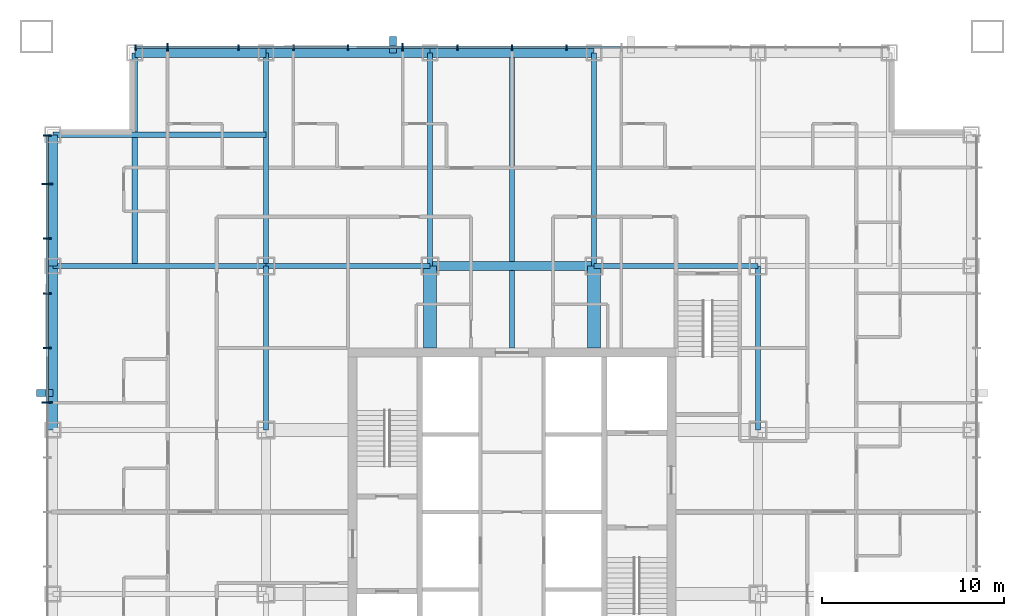
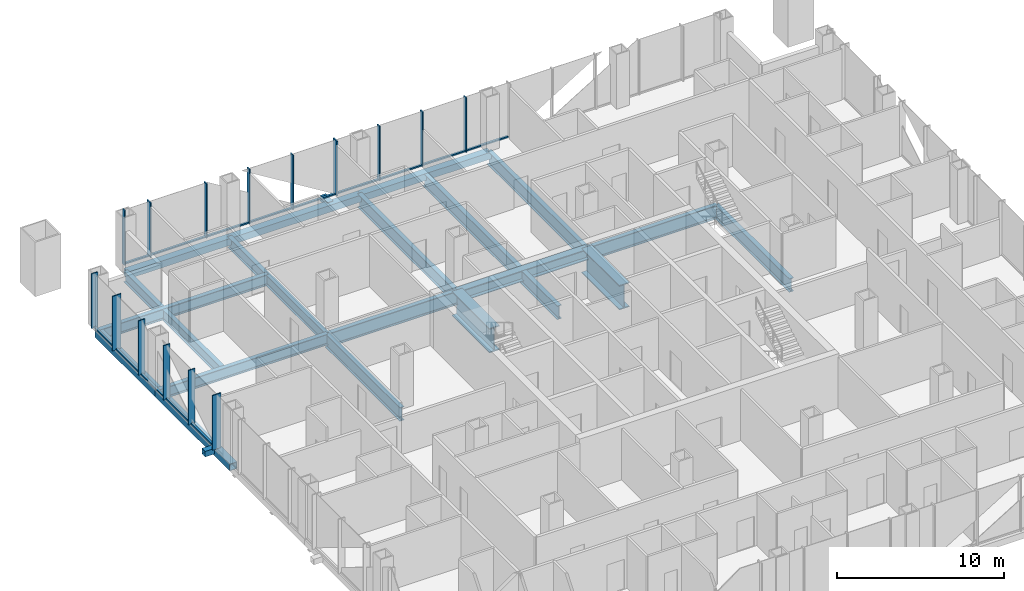
# One storey, part 4 of 17: 31 members, 19 beams, 2 elements without a shape of their own.
"""IFC4 building model written with IfcOpenShell, lengths in metres."""

from ifc_helpers import new_model, si_unit, direction, frame, origin, origin_2d, place, context, subcontext, project, spatial, rectangle, hollow_rectangle, i_section, extrude, material, layer, layer_set, material_profile, profile_set, type_object, element, aggregate, save


model = new_model("IFC4")

# Units and contexts
model_context = context("Model", 3, precision=1e-05, world=origin(), true_north=direction((0.0, 1.0)))
body_context = subcontext(model_context, "Body", "Model", "MODEL_VIEW")
ifc_project = project(units=[si_unit("LENGTHUNIT", "METRE"), si_unit("AREAUNIT", "SQUARE_METRE"), si_unit("VOLUMEUNIT", "CUBIC_METRE"), si_unit("PLANEANGLEUNIT", "RADIAN"), si_unit("MASSUNIT", "GRAM", prefix="KILO")], contexts=[model_context])

# Site, building, storey
site_placement = place(None, origin())
site = spatial("IfcSite", under=ifc_project, at=site_placement, CompositionType="ELEMENT")
building_placement = place(site_placement, origin())
building = spatial("IfcBuilding", under=site, at=building_placement, Name="Malebo Sky Hospital", CompositionType="ELEMENT")
storey_placement = place(building_placement, frame((0.0, 0.0, 51.0)))
storey = spatial("IfcBuildingStorey", under=building, at=storey_placement, Name="L11", CompositionType="ELEMENT", Elevation=51.0)

# Curtain wall, members
ifc_material_1 = material(Name="Anodised aluminium, natural silver", Category="aluminium")
ifc_layer_1 = layer(ifc_material_1, 0.25)
ifc_layer_set_1 = layer_set([ifc_layer_1], Name="WARD CURTAIN WALL NORTH AND SOUTH")
curtain_wall_type_1 = type_object("IfcCurtainWallType", Name="WARD CURTAIN WALL NORTH AND SOUTH", PredefinedType="NOTDEFINED", material=ifc_layer_set_1)
curtain_wall_1_placement = place(storey_placement, origin())
curtain_wall_1 = element("IfcCurtainWall", 1, at=curtain_wall_1_placement, inside=storey, type_object=curtain_wall_type_1, Name="NS curtain wall N", PredefinedType="NOTDEFINED")
ifc_material_profile_1 = material_profile(ifc_material_1, rectangle(XDim=0.14990234375, YDim=0.10009765625, at=origin_2d()), Name="ALUMINIUM TRANSOM 150x100")
ifc_profile_set_1 = profile_set([ifc_material_profile_1], Name="Anodised aluminium, natural silver")
member_type_1 = type_object("IfcMemberType", Name="ALUMINIUM TRANSOM 150x100", PredefinedType="USERDEFINED", material=ifc_profile_set_1)
member_1_placement = place(storey_placement, frame((39.375, 87.5, 0.050048828125), z_axis=(1.0, 0.0, 0.0), x_axis=(0.0, 1.0, 0.0)))
member_1 = element("IfcMember", 2, at=member_1_placement, type_object=member_type_1, Name="Transom 1", ObjectType="TRANSOM", PredefinedType="USERDEFINED", context=body_context, shape_type="SweptSolid", body=[
    extrude(rectangle(XDim=0.14990234375, YDim=0.10009765625, at=origin_2d()), origin(), (0.0, 0.0, 1.0), 1.6875),
])
member_2_placement = place(storey_placement, frame((41.137451171875, 87.5, 0.050048828125), z_axis=(1.0, 0.0, 0.0), x_axis=(0.0, 1.0, 0.0)))
member_2 = element("IfcMember", 3, at=member_2_placement, type_object=member_type_1, Name="Transom 2", ObjectType="TRANSOM", PredefinedType="USERDEFINED", context=body_context, shape_type="SweptSolid", body=[
    extrude(rectangle(XDim=0.14990234375, YDim=0.10009765625, at=origin_2d()), origin(), (0.0, 0.0, 1.0), 3.824951171875),
])
member_3_placement = place(storey_placement, frame((45.03759765625, 87.5, 0.050048828125), z_axis=(1.0, 0.0, 0.0), x_axis=(0.0, 1.0, 0.0)))
member_3 = element("IfcMember", 4, at=member_3_placement, type_object=member_type_1, Name="Transom 3", ObjectType="TRANSOM", PredefinedType="USERDEFINED", context=body_context, shape_type="SweptSolid", body=[
    extrude(rectangle(XDim=0.14990234375, YDim=0.10009765625, at=origin_2d()), origin(), (0.0, 0.0, 1.0), 2.9248046875),
])
member_4_placement = place(storey_placement, frame((48.03759765625, 87.5, 0.050048828125), z_axis=(1.0, 0.0, 0.0), x_axis=(0.0, 1.0, 0.0)))
member_4 = element("IfcMember", 5, at=member_4_placement, type_object=member_type_1, Name="Transom 4", ObjectType="TRANSOM", PredefinedType="USERDEFINED", context=body_context, shape_type="SweptSolid", body=[
    extrude(rectangle(XDim=0.14990234375, YDim=0.10009765625, at=origin_2d()), origin(), (0.0, 0.0, 1.0), 2.9248046875),
])
member_5_placement = place(storey_placement, frame((51.03759765625, 87.5, 0.050048828125), z_axis=(1.0, 0.0, 0.0), x_axis=(0.0, 1.0, 0.0)))
member_5 = element("IfcMember", 6, at=member_5_placement, type_object=member_type_1, Name="Transom 5", ObjectType="TRANSOM", PredefinedType="USERDEFINED", context=body_context, shape_type="SweptSolid", body=[
    extrude(rectangle(XDim=0.14990234375, YDim=0.10009765625, at=origin_2d()), origin(), (0.0, 0.0, 1.0), 2.9248046875),
])
member_6_placement = place(storey_placement, frame((54.03759765625, 87.5, 0.050048828125), z_axis=(1.0, 0.0, 0.0), x_axis=(0.0, 1.0, 0.0)))
member_6 = element("IfcMember", 7, at=member_6_placement, type_object=member_type_1, Name="Transom 6", ObjectType="TRANSOM", PredefinedType="USERDEFINED", context=body_context, shape_type="SweptSolid", body=[
    extrude(rectangle(XDim=0.14990234375, YDim=0.10009765625, at=origin_2d()), origin(), (0.0, 0.0, 1.0), 2.9248046875),
])
member_7_placement = place(storey_placement, frame((57.03759765625, 87.5, 0.050048828125), z_axis=(1.0, 0.0, 0.0), x_axis=(0.0, 1.0, 0.0)))
member_7 = element("IfcMember", 8, at=member_7_placement, type_object=member_type_1, Name="Transom 7", ObjectType="TRANSOM", PredefinedType="USERDEFINED", context=body_context, shape_type="SweptSolid", body=[
    extrude(rectangle(XDim=0.14990234375, YDim=0.10009765625, at=origin_2d()), origin(), (0.0, 0.0, 1.0), 2.9248046875),
])
member_8_placement = place(storey_placement, frame((60.03759765625, 87.5, 0.050048828125), z_axis=(1.0, 0.0, 0.0), x_axis=(0.0, 1.0, 0.0)))
member_8 = element("IfcMember", 9, at=member_8_placement, type_object=member_type_1, Name="Transom 8", ObjectType="TRANSOM", PredefinedType="USERDEFINED", context=body_context, shape_type="SweptSolid", body=[
    extrude(rectangle(XDim=0.14990234375, YDim=0.10009765625, at=origin_2d()), origin(), (0.0, 0.0, 1.0), 2.9248046875),
])
member_9_placement = place(storey_placement, frame((63.03759765625, 87.5, 0.050048828125), z_axis=(1.0, 0.0, 0.0), x_axis=(0.0, 1.0, 0.0)))
member_9 = element("IfcMember", 10, at=member_9_placement, type_object=member_type_1, Name="Transom 9", ObjectType="TRANSOM", PredefinedType="USERDEFINED", context=body_context, shape_type="SweptSolid", body=[
    extrude(rectangle(XDim=0.14990234375, YDim=0.10009765625, at=origin_2d()), origin(), (0.0, 0.0, 1.0), 2.9248046875),
])

ifc_layer_2 = layer(ifc_material_1, 0.25)
ifc_layer_set_2 = layer_set([ifc_layer_2], Name="WARD CURTAIN WALL EAST AND WEST")
curtain_wall_type_2 = type_object("IfcCurtainWallType", Name="WARD CURTAIN WALL EAST AND WEST", PredefinedType="NOTDEFINED", material=ifc_layer_set_2)
curtain_wall_2_placement = place(storey_placement, origin())
curtain_wall_2 = element("IfcCurtainWall", 11, at=curtain_wall_2_placement, inside=storey, type_object=curtain_wall_type_2, Name="EW curtain wall W", PredefinedType="NOTDEFINED")
member_10_placement = place(storey_placement, frame((34.5, 68.03759765625, 0.050048828125), z_axis=(0.0, 1.0, 0.0), x_axis=(-1.0, 0.0, 0.0)))
member_10 = element("IfcMember", 12, at=member_10_placement, type_object=member_type_1, Name="Transom 10", ObjectType="TRANSOM", PredefinedType="USERDEFINED", context=body_context, shape_type="SweptSolid", body=[
    extrude(rectangle(XDim=0.14990234375, YDim=0.10009765625, at=origin_2d()), origin(), (0.0, 0.0, 1.0), 2.9248046875),
])
member_11_placement = place(storey_placement, frame((34.5, 71.03759765625, 0.050048828125), z_axis=(0.0, 1.0, 0.0), x_axis=(-1.0, 0.0, 0.0)))
member_11 = element("IfcMember", 13, at=member_11_placement, type_object=member_type_1, Name="Transom 11", ObjectType="TRANSOM", PredefinedType="USERDEFINED", context=body_context, shape_type="SweptSolid", body=[
    extrude(rectangle(XDim=0.14990234375, YDim=0.10009765625, at=origin_2d()), origin(), (0.0, 0.0, 1.0), 2.9248046875),
])
member_12_placement = place(storey_placement, frame((34.5, 74.03759765625, 0.050048828125), z_axis=(0.0, 1.0, 0.0), x_axis=(-1.0, 0.0, 0.0)))
member_12 = element("IfcMember", 14, at=member_12_placement, type_object=member_type_1, Name="Transom 12", ObjectType="TRANSOM", PredefinedType="USERDEFINED", context=body_context, shape_type="SweptSolid", body=[
    extrude(rectangle(XDim=0.14990234375, YDim=0.10009765625, at=origin_2d()), origin(), (0.0, 0.0, 1.0), 2.9248046875),
])
member_13_placement = place(storey_placement, frame((34.5, 77.03759765625, 0.050048828125), z_axis=(0.0, 1.0, 0.0), x_axis=(-1.0, 0.0, 0.0)))
member_13 = element("IfcMember", 15, at=member_13_placement, type_object=member_type_1, Name="Transom 13", ObjectType="TRANSOM", PredefinedType="USERDEFINED", context=body_context, shape_type="SweptSolid", body=[
    extrude(rectangle(XDim=0.14990234375, YDim=0.10009765625, at=origin_2d()), origin(), (0.0, 0.0, 1.0), 2.9248046875),
])
member_14_placement = place(storey_placement, frame((34.5, 80.03759765625, 0.050048828125), z_axis=(0.0, 1.0, 0.0), x_axis=(-1.0, 0.0, 0.0)))
member_14 = element("IfcMember", 16, at=member_14_placement, type_object=member_type_1, Name="Transom 14", ObjectType="TRANSOM", PredefinedType="USERDEFINED", context=body_context, shape_type="SweptSolid", body=[
    extrude(rectangle(XDim=0.14990234375, YDim=0.10009765625, at=origin_2d()), origin(), (0.0, 0.0, 1.0), 2.58740234375),
])

# Members
ifc_material_2 = material(Name="Steel S355", Category="steel")
ifc_material_profile_2 = material_profile(ifc_material_2, hollow_rectangle(XDim=0.39990234375, YDim=0.39990234375, WallThickness=0.02001953125, at=origin_2d()), Name="SHS 400x20")
ifc_profile_set_2 = profile_set([ifc_material_profile_2], Name="Steel S355")
member_type_2 = type_object("IfcMemberType", Name="BRACE STRUT SHS 400x20", PredefinedType="STRUT", material=ifc_profile_set_2)
for number, where, z_axis, x_axis, name in (
    (17, (53.47509765625, 88.10009765625, -0.39990234375), (0.0, -1.0, 0.0), (1.0, 0.0, 0.0), "Brace strut AN1 L11"),
    (18, (33.89990234375, 68.52490234375, -0.39990234375), (1.0, 0.0, 0.0), (0.0, 1.0, 0.0), "Brace strut AW2 L11"),
):
    element("IfcMember", number, at=place(storey_placement, frame(where, z_axis=z_axis, x_axis=x_axis)), inside=storey, type_object=member_type_2, Name=name, PredefinedType="STRUT", context=body_context, shape_type="SweptSolid", body=[
        extrude(hollow_rectangle(XDim=0.39990234375, YDim=0.39990234375, WallThickness=0.02001953125, at=origin_2d()), origin(), (0.0, 0.0, 1.0), 0.900146484375),
    ])

# Member
ifc_material_profile_3 = material_profile(ifc_material_1, rectangle(XDim=0.074951171875, YDim=0.300048828125, at=origin_2d()), Name="CW1 ALUMINIUM FIN MULLION 75x300")
ifc_profile_set_3 = profile_set([ifc_material_profile_3], Name="Anodised aluminium, natural silver")
member_type_3 = type_object("IfcMemberType", Name="CW1 ALUMINIUM FIN MULLION 75x300", PredefinedType="MULLION", material=ifc_profile_set_3)
member_15_placement = place(storey_placement, frame((39.33740234375, 87.5, 0.0), z_axis=(0.0, 0.0, 1.0), x_axis=(1.0, 0.0, 0.0)))
member_15 = element("IfcMember", 19, at=member_15_placement, type_object=member_type_3, Name="Fin mullion 1", PredefinedType="MULLION", context=body_context, shape_type="SweptSolid", body=[
    extrude(rectangle(XDim=0.074951171875, YDim=0.300048828125, at=origin_2d()), origin(), (0.0, 0.0, 1.0), 4.0),
])

member_16_placement = place(storey_placement, frame((45.0, 87.5, 0.0), z_axis=(0.0, 0.0, 1.0), x_axis=(1.0, 0.0, 0.0)))
member_16 = element("IfcMember", 20, at=member_16_placement, type_object=member_type_3, Name="Fin mullion 3", PredefinedType="MULLION", context=body_context, shape_type="SweptSolid", body=[
    extrude(rectangle(XDim=0.074951171875, YDim=0.300048828125, at=origin_2d()), origin(), (0.0, 0.0, 1.0), 4.0),
])

member_17_placement = place(storey_placement, frame((48.0, 87.5, 0.0), z_axis=(0.0, 0.0, 1.0), x_axis=(1.0, 0.0, 0.0)))
member_17 = element("IfcMember", 21, at=member_17_placement, type_object=member_type_3, Name="Fin mullion 4", PredefinedType="MULLION", context=body_context, shape_type="SweptSolid", body=[
    extrude(rectangle(XDim=0.074951171875, YDim=0.300048828125, at=origin_2d()), origin(), (0.0, 0.0, 1.0), 4.0),
])

member_18_placement = place(storey_placement, frame((51.0, 87.5, 0.0), z_axis=(0.0, 0.0, 1.0), x_axis=(1.0, 0.0, 0.0)))
member_18 = element("IfcMember", 22, at=member_18_placement, type_object=member_type_3, Name="Fin mullion 5", PredefinedType="MULLION", context=body_context, shape_type="SweptSolid", body=[
    extrude(rectangle(XDim=0.074951171875, YDim=0.300048828125, at=origin_2d()), origin(), (0.0, 0.0, 1.0), 4.0),
])

member_19_placement = place(storey_placement, frame((57.0, 87.5, 0.0), z_axis=(0.0, 0.0, 1.0), x_axis=(1.0, 0.0, 0.0)))
member_19 = element("IfcMember", 23, at=member_19_placement, type_object=member_type_3, Name="Fin mullion 7", PredefinedType="MULLION", context=body_context, shape_type="SweptSolid", body=[
    extrude(rectangle(XDim=0.074951171875, YDim=0.300048828125, at=origin_2d()), origin(), (0.0, 0.0, 1.0), 4.0),
])

member_20_placement = place(storey_placement, frame((60.0, 87.5, 0.0), z_axis=(0.0, 0.0, 1.0), x_axis=(1.0, 0.0, 0.0)))
member_20 = element("IfcMember", 24, at=member_20_placement, type_object=member_type_3, Name="Fin mullion 8", PredefinedType="MULLION", context=body_context, shape_type="SweptSolid", body=[
    extrude(rectangle(XDim=0.074951171875, YDim=0.300048828125, at=origin_2d()), origin(), (0.0, 0.0, 1.0), 4.0),
])

member_21_placement = place(storey_placement, frame((63.0, 87.5, 0.0), z_axis=(0.0, 0.0, 1.0), x_axis=(1.0, 0.0, 0.0)))
member_21 = element("IfcMember", 25, at=member_21_placement, type_object=member_type_3, Name="Fin mullion 9", PredefinedType="MULLION", context=body_context, shape_type="SweptSolid", body=[
    extrude(rectangle(XDim=0.074951171875, YDim=0.300048828125, at=origin_2d()), origin(), (0.0, 0.0, 1.0), 4.0),
])

ifc_material_profile_4 = material_profile(ifc_material_1, rectangle(XDim=0.074951171875, YDim=0.449951171875, at=origin_2d()), Name="CW1 ALUMINIUM FIN MULLION 75x450")
ifc_profile_set_4 = profile_set([ifc_material_profile_4], Name="Anodised aluminium, natural silver")
member_type_4 = type_object("IfcMemberType", Name="CW1 ALUMINIUM FIN MULLION 75x450", PredefinedType="MULLION", material=ifc_profile_set_4)
member_22_placement = place(storey_placement, frame((41.10009765625, 87.5, 0.0), z_axis=(0.0, 0.0, 1.0), x_axis=(1.0, 0.0, 0.0)))
member_22 = element("IfcMember", 26, at=member_22_placement, type_object=member_type_4, Name="Fin mullion 2", PredefinedType="MULLION", context=body_context, shape_type="SweptSolid", body=[
    extrude(rectangle(XDim=0.074951171875, YDim=0.449951171875, at=origin_2d()), origin(), (0.0, 0.0, 1.0), 4.0),
])

member_23_placement = place(storey_placement, frame((54.0, 87.5, 0.0), z_axis=(0.0, 0.0, 1.0), x_axis=(1.0, 0.0, 0.0)))
member_23 = element("IfcMember", 27, at=member_23_placement, type_object=member_type_4, Name="Fin mullion 6", PredefinedType="MULLION", context=body_context, shape_type="SweptSolid", body=[
    extrude(rectangle(XDim=0.074951171875, YDim=0.449951171875, at=origin_2d()), origin(), (0.0, 0.0, 1.0), 4.0),
])

aggregate(curtain_wall_1, [member_15, member_22, member_16, member_17, member_18, member_23, member_19, member_20, member_21, member_1, member_2, member_3, member_4, member_5, member_6, member_7, member_8, member_9])

ifc_material_profile_5 = material_profile(ifc_material_1, rectangle(XDim=0.074951171875, YDim=0.449951171875, at=origin_2d()), Name="CW2 ALUMINIUM FIN MULLION 75x450")
ifc_profile_set_5 = profile_set([ifc_material_profile_5], Name="Anodised aluminium, natural silver")
member_type_5 = type_object("IfcMemberType", Name="CW2 ALUMINIUM FIN MULLION 75x450", PredefinedType="MULLION", material=ifc_profile_set_5)
member_24_placement = place(storey_placement, frame((34.5, 71.0, 0.0), z_axis=(0.0, 0.0, 1.0), x_axis=(0.0, 1.0, 0.0)))
member_24 = element("IfcMember", 28, at=member_24_placement, type_object=member_type_5, Name="Fin mullion 11", PredefinedType="MULLION", context=body_context, shape_type="SweptSolid", body=[
    extrude(rectangle(XDim=0.074951171875, YDim=0.449951171875, at=origin_2d()), origin(), (0.0, 0.0, 1.0), 4.0),
])

member_25_placement = place(storey_placement, frame((34.5, 74.0, 0.0), z_axis=(0.0, 0.0, 1.0), x_axis=(0.0, 1.0, 0.0)))
member_25 = element("IfcMember", 29, at=member_25_placement, type_object=member_type_5, Name="Fin mullion 12", PredefinedType="MULLION", context=body_context, shape_type="SweptSolid", body=[
    extrude(rectangle(XDim=0.074951171875, YDim=0.449951171875, at=origin_2d()), origin(), (0.0, 0.0, 1.0), 4.0),
])

member_26_placement = place(storey_placement, frame((34.5, 77.0, 0.0), z_axis=(0.0, 0.0, 1.0), x_axis=(0.0, 1.0, 0.0)))
member_26 = element("IfcMember", 30, at=member_26_placement, type_object=member_type_5, Name="Fin mullion 13", PredefinedType="MULLION", context=body_context, shape_type="SweptSolid", body=[
    extrude(rectangle(XDim=0.074951171875, YDim=0.449951171875, at=origin_2d()), origin(), (0.0, 0.0, 1.0), 4.0),
])

member_27_placement = place(storey_placement, frame((34.5, 82.66259765625, 0.0), z_axis=(0.0, 0.0, 1.0), x_axis=(0.0, 1.0, 0.0)))
member_27 = element("IfcMember", 31, at=member_27_placement, type_object=member_type_5, Name="Fin mullion 15", PredefinedType="MULLION", context=body_context, shape_type="SweptSolid", body=[
    extrude(rectangle(XDim=0.074951171875, YDim=0.449951171875, at=origin_2d()), origin(), (0.0, 0.0, 1.0), 4.0),
])

ifc_material_profile_6 = material_profile(ifc_material_1, rectangle(XDim=0.074951171875, YDim=0.60009765625, at=origin_2d()), Name="CW2 ALUMINIUM FIN MULLION 75x600")
ifc_profile_set_6 = profile_set([ifc_material_profile_6], Name="Anodised aluminium, natural silver")
member_type_6 = type_object("IfcMemberType", Name="CW2 ALUMINIUM FIN MULLION 75x600", PredefinedType="MULLION", material=ifc_profile_set_6)
member_28_placement = place(storey_placement, frame((34.5, 68.0, 0.0), z_axis=(0.0, 0.0, 1.0), x_axis=(0.0, 1.0, 0.0)))
member_28 = element("IfcMember", 32, at=member_28_placement, type_object=member_type_6, Name="Fin mullion 10", PredefinedType="MULLION", context=body_context, shape_type="SweptSolid", body=[
    extrude(rectangle(XDim=0.074951171875, YDim=0.60009765625, at=origin_2d()), origin(), (0.0, 0.0, 1.0), 4.0),
])

member_29_placement = place(storey_placement, frame((34.5, 80.0, 0.0), z_axis=(0.0, 0.0, 1.0), x_axis=(0.0, 1.0, 0.0)))
member_29 = element("IfcMember", 33, at=member_29_placement, type_object=member_type_6, Name="Fin mullion 14", PredefinedType="MULLION", context=body_context, shape_type="SweptSolid", body=[
    extrude(rectangle(XDim=0.074951171875, YDim=0.60009765625, at=origin_2d()), origin(), (0.0, 0.0, 1.0), 4.0),
])

aggregate(curtain_wall_2, [member_28, member_24, member_25, member_26, member_29, member_27, member_10, member_11, member_12, member_13, member_14])

# Beams
ifc_material_3 = material(Name="Steel S460", Category="steel")
ifc_material_profile_7 = material_profile(ifc_material_3, hollow_rectangle(XDim=0.5, YDim=0.5, WallThickness=0.030029296875, at=origin_2d()), Name="BOX 500x500x30")
ifc_profile_set_7 = profile_set([ifc_material_profile_7], Name="Steel S460")
beam_type_1 = type_object("IfcBeamType", Name="EDGE BEAM BOX 500x500x30", PredefinedType="BEAM", material=ifc_profile_set_7)
beam_1_placement = place(storey_placement, frame((34.800048828125, 66.5, -0.5), z_axis=(0.0, 1.0, 0.0), x_axis=(-1.0, 0.0, 0.0)))
element("IfcBeam", 34, at=beam_1_placement, inside=storey, type_object=beam_type_1, Name="Beam 003 L11", PredefinedType="BEAM", context=body_context, shape_type="SweptSolid", body=[
    extrude(hollow_rectangle(XDim=0.5, YDim=0.5, WallThickness=0.030029296875, at=origin_2d()), origin(), (0.0, 0.0, 1.0), 9.0),
])
for number, where, z_axis, x_axis, name in (
    (35, (34.800048828125, 75.5, -0.5), (0.0, 1.0, 0.0), (-1.0, 0.0, 0.0), "Beam 004 L11"),
    (36, (39.300048828125, 87.199951171875, -0.5), (1.0, 0.0, 0.0), (0.0, 1.0, 0.0), "Beam 063 L11"),
):
    element("IfcBeam", number, at=place(storey_placement, frame(where, z_axis=z_axis, x_axis=x_axis)), inside=storey, type_object=beam_type_1, Name=name, PredefinedType="BEAM", context=body_context, shape_type="SweptSolid", body=[
        extrude(hollow_rectangle(XDim=0.5, YDim=0.5, WallThickness=0.030029296875, at=origin_2d()), origin(), (0.0, 0.0, 1.0), 7.199951171875),
    ])
for number, where, z_axis, x_axis, name in (
    (37, (46.5, 87.199951171875, -0.5), (1.0, 0.0, 0.0), (0.0, 1.0, 0.0), "Beam 064 L11"),
    (38, (55.5, 87.199951171875, -0.5), (1.0, 0.0, 0.0), (0.0, 1.0, 0.0), "Beam 065 L11"),
):
    element("IfcBeam", number, at=place(storey_placement, frame(where, z_axis=z_axis, x_axis=x_axis)), inside=storey, type_object=beam_type_1, Name=name, PredefinedType="BEAM", context=body_context, shape_type="SweptSolid", body=[
        extrude(hollow_rectangle(XDim=0.5, YDim=0.5, WallThickness=0.030029296875, at=origin_2d()), origin(), (0.0, 0.0, 1.0), 9.0),
    ])
ifc_material_profile_8 = material_profile(ifc_material_2, i_section(OverallWidth=0.300048828125, OverallDepth=1.0, WebThickness=0.01904296875, FlangeThickness=0.035888671875, FilletRadius=0.030029296875, at=origin_2d()), Name="HEB 1000")
ifc_profile_set_8 = profile_set([ifc_material_profile_8], Name="Steel S355")
beam_type_2 = type_object("IfcBeamType", Name="FLOOR BEAM HEB 1000", PredefinedType="BEAM", material=ifc_profile_set_8)
beam_2_placement = place(storey_placement, frame((46.5, 66.5, -0.75), z_axis=(0.0, 1.0, 0.0), x_axis=(-1.0, 0.0, 0.0)))
element("IfcBeam", 39, at=beam_2_placement, inside=storey, type_object=beam_type_2, Name="Beam 010 L11", PredefinedType="BEAM", context=body_context, shape_type="SweptSolid", body=[
    extrude(i_section(OverallWidth=0.300048828125, OverallDepth=1.0, WebThickness=0.01904296875, FlangeThickness=0.035888671875, FilletRadius=0.030029296875, at=origin_2d()), origin(), (0.0, 0.0, 1.0), 9.0),
])
beam_3_placement = place(storey_placement, frame((55.5, 75.5, -0.75), z_axis=(0.0, 1.0, 0.0), x_axis=(-1.0, 0.0, 0.0)))
element("IfcBeam", 40, at=beam_3_placement, inside=storey, type_object=beam_type_2, Name="Beam 015 L11", PredefinedType="BEAM", context=body_context, shape_type="SweptSolid", body=[
    extrude(i_section(OverallWidth=0.300048828125, OverallDepth=1.0, WebThickness=0.01904296875, FlangeThickness=0.035888671875, FilletRadius=0.030029296875, at=origin_2d()), origin(), (0.0, 0.0, 1.0), 11.699951171875),
])
beam_4_placement = place(storey_placement, frame((60.0, 71.0, -0.75), z_axis=(0.0, 1.0, 0.0), x_axis=(-1.0, 0.0, 0.0)))
element("IfcBeam", 41, at=beam_4_placement, inside=storey, type_object=beam_type_2, Name="Beam 017 L11", PredefinedType="BEAM", context=body_context, shape_type="SweptSolid", body=[
    extrude(i_section(OverallWidth=0.300048828125, OverallDepth=1.0, WebThickness=0.01904296875, FlangeThickness=0.035888671875, FilletRadius=0.030029296875, at=origin_2d()), origin(), (0.0, 0.0, 1.0), 16.199951171875),
])
beam_5_placement = place(storey_placement, frame((64.5, 75.5, -0.75), z_axis=(0.0, 1.0, 0.0), x_axis=(-1.0, 0.0, 0.0)))
element("IfcBeam", 42, at=beam_5_placement, inside=storey, type_object=beam_type_2, Name="Beam 021 L11", PredefinedType="BEAM", context=body_context, shape_type="SweptSolid", body=[
    extrude(i_section(OverallWidth=0.300048828125, OverallDepth=1.0, WebThickness=0.01904296875, FlangeThickness=0.035888671875, FilletRadius=0.030029296875, at=origin_2d()), origin(), (0.0, 0.0, 1.0), 11.699951171875),
])
for number, where, z_axis, x_axis, name in (
    (43, (73.5, 66.5, -0.75), (0.0, 1.0, 0.0), (-1.0, 0.0, 0.0), "Beam 025 L11"),
    (44, (46.5, 75.5, -0.75), (1.0, 0.0, 0.0), (0.0, 1.0, 0.0), "Beam 057 L11"),
    (45, (64.5, 75.5, -0.75), (1.0, 0.0, 0.0), (0.0, 1.0, 0.0), "Beam 059 L11"),
):
    element("IfcBeam", number, at=place(storey_placement, frame(where, z_axis=z_axis, x_axis=x_axis)), inside=storey, type_object=beam_type_2, Name=name, PredefinedType="BEAM", context=body_context, shape_type="SweptSolid", body=[
        extrude(i_section(OverallWidth=0.300048828125, OverallDepth=1.0, WebThickness=0.01904296875, FlangeThickness=0.035888671875, FilletRadius=0.030029296875, at=origin_2d()), origin(), (0.0, 0.0, 1.0), 9.0),
    ])
ifc_material_profile_9 = material_profile(ifc_material_2, i_section(OverallWidth=0.300048828125, OverallDepth=0.800048828125, WebThickness=0.017578125, FlangeThickness=0.032958984375, FilletRadius=0.030029296875, at=origin_2d()), Name="HEB 800")
ifc_profile_set_9 = profile_set([ifc_material_profile_9], Name="Steel S355")
beam_type_3 = type_object("IfcBeamType", Name="FLOOR BEAM HEB 800", PredefinedType="BEAM", material=ifc_profile_set_9)
for number, where, z_axis, x_axis, name in (
    (46, (39.300048828125, 75.5, -0.64990234375), (0.0, 1.0, 0.0), (-1.0, 0.0, 0.0), "Beam 006 L11"),
    (47, (34.800048828125, 82.699951171875, -0.64990234375), (1.0, 0.0, 0.0), (0.0, 1.0, 0.0), "Beam 061 L11"),
):
    element("IfcBeam", number, at=place(storey_placement, frame(where, z_axis=z_axis, x_axis=x_axis)), inside=storey, type_object=beam_type_3, Name=name, PredefinedType="BEAM", context=body_context, shape_type="SweptSolid", body=[
        extrude(i_section(OverallWidth=0.300048828125, OverallDepth=0.800048828125, WebThickness=0.017578125, FlangeThickness=0.032958984375, FilletRadius=0.030029296875, at=origin_2d()), origin(), (0.0, 0.0, 1.0), 11.699951171875),
    ])
ifc_material_profile_10 = material_profile(ifc_material_2, i_section(OverallWidth=0.699951171875, OverallDepth=1.800048828125, WebThickness=0.034912109375, FlangeThickness=0.070068359375, at=origin_2d()), Name="PG 1800x700x35x70")
ifc_profile_set_10 = profile_set([ifc_material_profile_10], Name="Steel S355")
beam_type_4 = type_object("IfcBeamType", Name="FLOOR BEAM PG 1800x700x35x70", PredefinedType="BEAM", material=ifc_profile_set_10)
for number, where, z_axis, x_axis, name in (
    (48, (55.5, 71.0, -1.14990234375), (0.0, 1.0, 0.0), (-1.0, 0.0, 0.0), "Beam 014 L11"),
    (49, (64.5, 71.0, -1.14990234375), (0.0, 1.0, 0.0), (-1.0, 0.0, 0.0), "Beam 020 L11"),
):
    element("IfcBeam", number, at=place(storey_placement, frame(where, z_axis=z_axis, x_axis=x_axis)), inside=storey, type_object=beam_type_4, Name=name, PredefinedType="BEAM", context=body_context, shape_type="SweptSolid", body=[
        extrude(i_section(OverallWidth=0.699951171875, OverallDepth=1.800048828125, WebThickness=0.034912109375, FlangeThickness=0.070068359375, at=origin_2d()), origin(), (0.0, 0.0, 1.0), 4.5),
    ])
ifc_material_profile_11 = material_profile(ifc_material_2, i_section(OverallWidth=0.300048828125, OverallDepth=0.800048828125, WebThickness=0.017578125, FlangeThickness=0.032958984375, FilletRadius=0.030029296875, at=origin_2d()), Name="HEB 800")
ifc_profile_set_11 = profile_set([ifc_material_profile_11], Name="Steel S355")
beam_type_5 = type_object("IfcBeamType", Name="FLOOR GIRDER HEB 800", PredefinedType="BEAM", material=ifc_profile_set_11)
for number, where, z_axis, x_axis, name in (
    (50, (46.5, 75.5, -0.64990234375), (0.0, 1.0, 0.0), (-1.0, 0.0, 0.0), "Beam 011 L11"),
    (51, (34.800048828125, 75.5, -0.64990234375), (1.0, 0.0, 0.0), (0.0, 1.0, 0.0), "Beam 056 L11"),
):
    element("IfcBeam", number, at=place(storey_placement, frame(where, z_axis=z_axis, x_axis=x_axis)), inside=storey, type_object=beam_type_5, Name=name, PredefinedType="BEAM", context=body_context, shape_type="SweptSolid", body=[
        extrude(i_section(OverallWidth=0.300048828125, OverallDepth=0.800048828125, WebThickness=0.017578125, FlangeThickness=0.032958984375, FilletRadius=0.030029296875, at=origin_2d()), origin(), (0.0, 0.0, 1.0), 11.699951171875),
    ])
ifc_material_profile_12 = material_profile(ifc_material_2, i_section(OverallWidth=0.5, OverallDepth=0.800048828125, WebThickness=0.030029296875, FlangeThickness=0.050048828125, at=origin_2d()), Name="PG 800x500x30x50")
ifc_profile_set_12 = profile_set([ifc_material_profile_12], Name="Steel S355")
beam_type_6 = type_object("IfcBeamType", Name="RING GIRDER PG 800x500x30x50", PredefinedType="BEAM", material=ifc_profile_set_12)
beam_6_placement = place(storey_placement, frame((55.5, 75.5, -0.64990234375), z_axis=(1.0, 0.0, 0.0), x_axis=(0.0, 1.0, 0.0)))
element("IfcBeam", 52, at=beam_6_placement, inside=storey, type_object=beam_type_6, Name="Beam 058 L11", PredefinedType="BEAM", context=body_context, shape_type="SweptSolid", body=[
    extrude(i_section(OverallWidth=0.5, OverallDepth=0.800048828125, WebThickness=0.030029296875, FlangeThickness=0.050048828125, at=origin_2d()), origin(), (0.0, 0.0, 1.0), 9.0),
])

save(model, "model.ifc")
